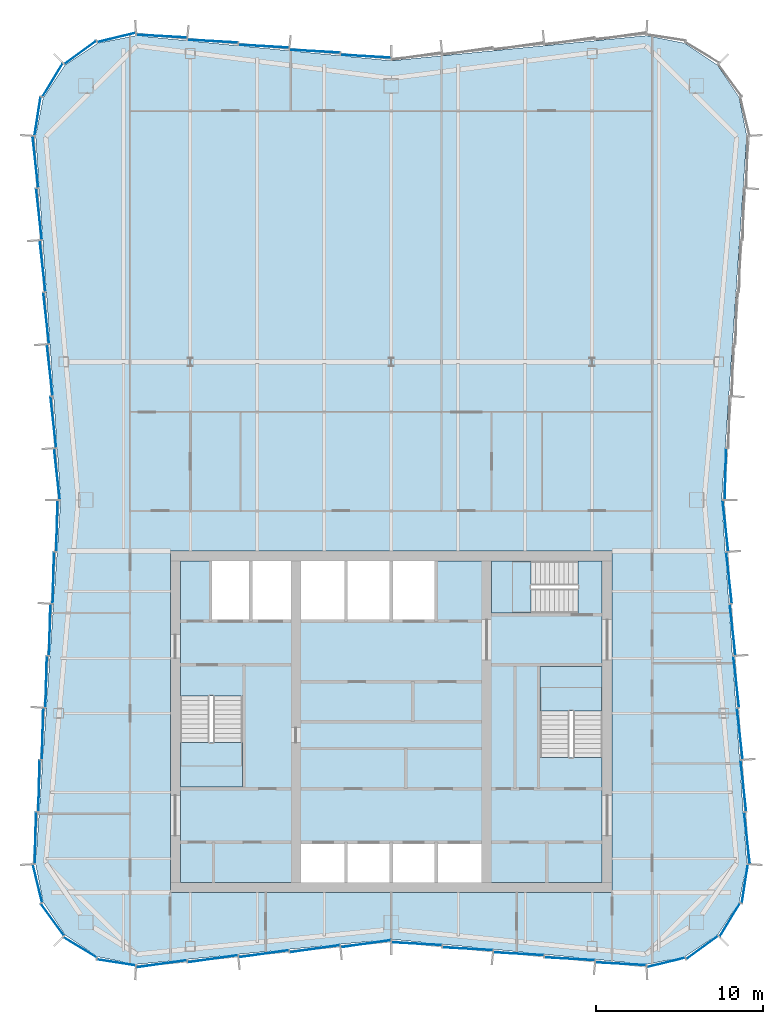
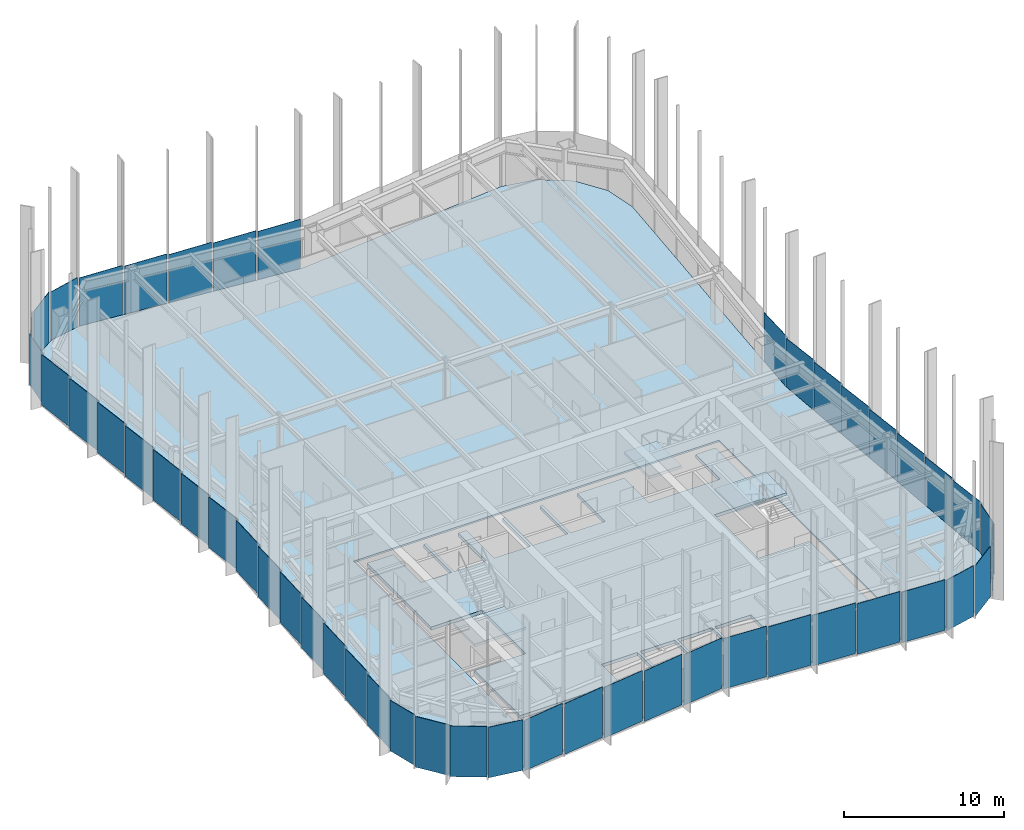
# One storey, part 8 of 13: 49 plates, 5 slabs, 10 elements without a shape of their own.
"""IFC4 building model written with IfcOpenShell, lengths in metres."""

from ifc_helpers import new_model, si_unit, direction, frame, origin, origin_2d, place, context, subcontext, project, spatial, polyline, rectangle, outline, extrude, material, layer, layer_set, type_object, element, aggregate, save


model = new_model("IFC4")

# Units and contexts
model_context = context("Model", 3, precision=1e-05, world=origin(), true_north=direction((0.0, 1.0)))
body_context = subcontext(model_context, "Body", "Model", "MODEL_VIEW")
ifc_project = project(units=[si_unit("LENGTHUNIT", "METRE"), si_unit("AREAUNIT", "SQUARE_METRE"), si_unit("VOLUMEUNIT", "CUBIC_METRE"), si_unit("PLANEANGLEUNIT", "RADIAN"), si_unit("MASSUNIT", "GRAM", prefix="KILO")], contexts=[model_context])

# Site, building, storey
site_placement = place(None, origin())
site = spatial("IfcSite", under=ifc_project, at=site_placement, CompositionType="ELEMENT")
building_placement = place(site_placement, origin())
building = spatial("IfcBuilding", under=site, at=building_placement, Name="Verdant Reach Tower", CompositionType="ELEMENT")
storey_placement = place(building_placement, frame((0.0, 0.0, 294.0)))
storey = spatial("IfcBuildingStorey", under=building, at=storey_placement, Name="L67", CompositionType="ELEMENT", Elevation=294.0)

# Stair, slab
ifc_material_1 = material(Name="Concrete C40/50", Category="concrete")
stair_type = type_object("IfcStairType", Name="CO-STAIR", PredefinedType="HALF_TURN_STAIR", material=ifc_material_1)
stair_1_placement = place(storey_placement, origin())
stair_1 = element("IfcStair", 1, at=stair_1_placement, inside=storey, type_object=stair_type, Name="L67 Exit stair 1", PredefinedType="HALF_TURN_STAIR")
ifc_layer_1 = layer(ifc_material_1, 0.199951171875)
ifc_layer_set_1 = layer_set([ifc_layer_1], Name="CO-STAIR-LANDING")
slab_type_1 = type_object("IfcSlabType", Name="CO-STAIR-LANDING", PredefinedType="LANDING", material=ifc_layer_set_1)
slab_1_placement = place(storey_placement, frame((0.0, 0.0, 1.800048828125)))
slab_1 = element("IfcSlab", 2, at=slab_1_placement, type_object=slab_type_1, Name="ST-1 landing 1", PredefinedType="LANDING", context=body_context, shape_type="SweptSolid", body=[
    extrude(outline(polyline([(-12.60009765625, 26.75), (-12.60009765625, 24.10009765625), (-8.89990234375, 24.10009765625), (-8.89990234375, 26.75), (-12.60009765625, 26.75)])), origin(), (0.0, 0.0, 1.0), 0.199951171875),
])
aggregate(stair_1, [slab_1])

stair_2_placement = place(storey_placement, origin())
stair_2 = element("IfcStair", 3, at=stair_2_placement, inside=storey, type_object=stair_type, Name="L67 Exit stair 2", PredefinedType="HALF_TURN_STAIR")
slab_2_placement = place(storey_placement, frame((0.0, 0.0, 1.800048828125)))
slab_2 = element("IfcSlab", 4, at=slab_2_placement, type_object=slab_type_1, Name="ST-2 landing 1", PredefinedType="LANDING", context=body_context, shape_type="SweptSolid", body=[
    extrude(outline(polyline([(12.60009765625, 28.64990234375), (12.60009765625, 31.300048828125), (8.89990234375, 31.300048828125), (8.89990234375, 28.64990234375), (12.60009765625, 28.64990234375)])), origin(), (0.0, 0.0, 1.0), 0.199951171875),
])
aggregate(stair_2, [slab_2])

stair_3_placement = place(storey_placement, origin())
stair_3 = element("IfcStair", 5, at=stair_3_placement, inside=storey, type_object=stair_type, Name="L67 Exit stair 3", PredefinedType="HALF_TURN_STAIR")
slab_3_placement = place(storey_placement, frame((0.0, 0.0, 1.800048828125)))
slab_3 = element("IfcSlab", 6, at=slab_3_placement, type_object=slab_type_1, Name="ST-3 landing 1", PredefinedType="LANDING", context=body_context, shape_type="SweptSolid", body=[
    extrude(outline(polyline([(8.35009765625, 37.60009765625), (6.0, 37.60009765625), (6.0, 34.5), (8.35009765625, 34.5), (8.35009765625, 37.60009765625)])), origin(), (0.0, 0.0, 1.0), 0.199951171875),
])
aggregate(stair_3, [slab_3])

# Curtain wall, plates
ifc_material_2 = material(Name="Anodised aluminium", Category="aluminium")
curtain_wall_type = type_object("IfcCurtainWallType", Name="EN-CW SYSTEM Z5", PredefinedType="NOTDEFINED", material=ifc_material_2)
curtain_wall_1_placement = place(storey_placement, origin())
curtain_wall_1 = element("IfcCurtainWall", 7, at=curtain_wall_1_placement, inside=storey, type_object=curtain_wall_type, Name="Curtain wall south-east corner, L67", PredefinedType="NOTDEFINED")
ifc_material_3 = material(Name="Tinted glass with champagne spandrel", Category="glass")
ifc_layer_2 = layer(ifc_material_3, 0.031982421875)
ifc_layer_set_2 = layer_set([ifc_layer_2], Name="EN-PANEL CHAMPAGNE")
plate_type_1 = type_object("IfcPlateType", Name="EN-PANEL CHAMPAGNE", PredefinedType="CURTAIN_PANEL", material=ifc_layer_set_2)
plate_1_placement = place(storey_placement, frame((18.58203125, 14.51318359375, -0.219970703125), z_axis=(0.0, 0.0, 1.0), x_axis=(0.807456783236, 0.58992672698, 0.0)))
plate_1 = element("IfcPlate", 8, at=plate_1_placement, type_object=plate_type_1, Name="Glass panel south-east corner 2.1, L67", PredefinedType="CURTAIN_PANEL", context=body_context, shape_type="SweptSolid", body=[
    extrude(rectangle(XDim=2.320068359375, YDim=0.031982421875, at=origin_2d()), origin(), (0.0, 0.0, 1.0), 3.8701171875),
])
plate_2_placement = place(storey_placement, frame((20.23681640625, 16.16796875, -0.219970703125), z_axis=(0.0, 0.0, 1.0), x_axis=(0.520291528711, 0.853988714885, 0.0)))
plate_2 = element("IfcPlate", 9, at=plate_2_placement, type_object=plate_type_1, Name="Glass panel south-east corner 3.1, L67", PredefinedType="CURTAIN_PANEL", context=body_context, shape_type="SweptSolid", body=[
    extrude(rectangle(XDim=2.320068359375, YDim=0.031982421875, at=origin_2d()), origin(), (0.0, 0.0, 1.0), 3.8701171875),
])
plate_3_placement = place(storey_placement, frame((21.132080078125, 18.326171875, -0.219970703125), z_axis=(0.0, 0.0, 1.0), x_axis=(0.154337499461, 0.988018186199, 0.0)))
plate_3 = element("IfcPlate", 10, at=plate_3_placement, type_object=plate_type_1, Name="Glass panel south-east corner 4.1, L67", PredefinedType="CURTAIN_PANEL", context=body_context, shape_type="SweptSolid", body=[
    extrude(rectangle(XDim=2.312744140625, YDim=0.031982421875, at=origin_2d()), origin(), (0.0, 0.0, 1.0), 3.8701171875),
])

curtain_wall_2_placement = place(storey_placement, origin())
curtain_wall_2 = element("IfcCurtainWall", 11, at=curtain_wall_2_placement, inside=storey, type_object=curtain_wall_type, Name="Curtain wall east, L67", PredefinedType="NOTDEFINED")
plate_4_placement = place(storey_placement, frame((21.257568359375, 21.053955078125, -0.219970703125), z_axis=(0.0, 0.0, 1.0), x_axis=(-0.110197580247, 0.993909700782, 0.0)))
plate_4 = element("IfcPlate", 12, at=plate_4_placement, type_object=plate_type_1, Name="Glass panel east face part 1 1.1, L67", PredefinedType="CURTAIN_PANEL", context=body_context, shape_type="SweptSolid", body=[
    extrude(rectangle(XDim=3.063720703125, YDim=0.031982421875, at=origin_2d()), origin(), (0.0, 0.0, 1.0), 3.8701171875),
])
plate_5_placement = place(storey_placement, frame((21.043212890625, 24.168701171875, -0.219970703125), z_axis=(0.0, 0.0, 1.0), x_axis=(-0.110518162674, 0.993874104562, 0.0)))
plate_5 = element("IfcPlate", 13, at=plate_5_placement, type_object=plate_type_1, Name="Glass panel east face part 1 2.1, L67", PredefinedType="CURTAIN_PANEL", context=body_context, shape_type="SweptSolid", body=[
    extrude(rectangle(XDim=3.048583984375, YDim=0.031982421875, at=origin_2d()), origin(), (0.0, 0.0, 1.0), 3.8701171875),
])

curtain_wall_3_placement = place(storey_placement, origin())
curtain_wall_3 = element("IfcCurtainWall", 14, at=curtain_wall_3_placement, inside=storey, type_object=curtain_wall_type, Name="Curtain wall north, L67", PredefinedType="NOTDEFINED")
plate_6_placement = place(storey_placement, frame((-1.519287109375, 67.7646484375, -0.219970703125), z_axis=(0.0, 0.0, 1.0), x_axis=(-0.998413420442, 0.05630845301, 0.0)))
plate_6 = element("IfcPlate", 15, at=plate_6_placement, type_object=plate_type_1, Name="Glass panel north face part 2 1.1, L67", PredefinedType="CURTAIN_PANEL", context=body_context, shape_type="SweptSolid", body=[
    extrude(rectangle(XDim=2.987548828125, YDim=0.031982421875, at=origin_2d()), origin(), (0.0, 0.0, 1.0), 3.8701171875),
])
plate_7_placement = place(storey_placement, frame((-4.563720703125, 68.064453125, -0.219970703125), z_axis=(0.0, 0.0, 1.0), x_axis=(-0.998423588956, 0.056127863106, 0.0)))
plate_7 = element("IfcPlate", 16, at=plate_7_placement, type_object=plate_type_1, Name="Glass panel north face part 2 2.1, L67", PredefinedType="CURTAIN_PANEL", context=body_context, shape_type="SweptSolid", body=[
    extrude(rectangle(XDim=2.998779296875, YDim=0.031982421875, at=origin_2d()), origin(), (0.0, 0.0, 1.0), 3.8701171875),
])

curtain_wall_4_placement = place(storey_placement, origin())
curtain_wall_4 = element("IfcCurtainWall", 17, at=curtain_wall_4_placement, inside=storey, type_object=curtain_wall_type, Name="Curtain wall west, L67", PredefinedType="NOTDEFINED")
plate_8_placement = place(storey_placement, frame((-20.61474609375, 52.1171875, -0.219970703125), z_axis=(0.0, 0.0, 1.0), x_axis=(0.110518162674, -0.993874104562, 0.0)))
plate_8 = element("IfcPlate", 18, at=plate_8_placement, type_object=plate_type_1, Name="Glass panel west face part 1 4.1, L67", PredefinedType="CURTAIN_PANEL", context=body_context, shape_type="SweptSolid", body=[
    extrude(rectangle(XDim=3.048583984375, YDim=0.031982421875, at=origin_2d()), origin(), (0.0, 0.0, 1.0), 3.8701171875),
])
plate_9_placement = place(storey_placement, frame((-20.400390625, 49.010009765625, -0.219970703125), z_axis=(0.0, 0.0, 1.0), x_axis=(0.110518162674, -0.993874104562, 0.0)))
plate_9 = element("IfcPlate", 19, at=plate_9_placement, type_object=plate_type_1, Name="Glass panel west face part 1 5.1, L67", PredefinedType="CURTAIN_PANEL", context=body_context, shape_type="SweptSolid", body=[
    extrude(rectangle(XDim=3.048583984375, YDim=0.031982421875, at=origin_2d()), origin(), (0.0, 0.0, 1.0), 3.8701171875),
])
plate_10_placement = place(storey_placement, frame((-20.18603515625, 45.90283203125, -0.219970703125), z_axis=(0.0, 0.0, 1.0), x_axis=(0.110518162674, -0.993874104562, 0.0)))
plate_10 = element("IfcPlate", 20, at=plate_10_placement, type_object=plate_type_1, Name="Glass panel west face part 1 6.1, L67", PredefinedType="CURTAIN_PANEL", context=body_context, shape_type="SweptSolid", body=[
    extrude(rectangle(XDim=3.048583984375, YDim=0.031982421875, at=origin_2d()), origin(), (0.0, 0.0, 1.0), 3.8701171875),
])
plate_11_placement = place(storey_placement, frame((-21.043212890625, 24.168701171875, -0.219970703125), z_axis=(0.0, 0.0, 1.0), x_axis=(-0.026965318308, -0.999636369691, 0.0)))
plate_11 = element("IfcPlate", 21, at=plate_11_placement, type_object=plate_type_1, Name="Glass panel west face part 2 6.1, L67", PredefinedType="CURTAIN_PANEL", context=body_context, shape_type="SweptSolid", body=[
    extrude(rectangle(XDim=3.048583984375, YDim=0.031982421875, at=origin_2d()), origin(), (0.0, 0.0, 1.0), 3.8701171875),
])
plate_12_placement = place(storey_placement, frame((-21.257568359375, 21.053955078125, -0.219970703125), z_axis=(0.0, 0.0, 1.0), x_axis=(-0.026642881595, -0.999645015423, 0.0)))
plate_12 = element("IfcPlate", 22, at=plate_12_placement, type_object=plate_type_1, Name="Glass panel west face part 2 7.1, L67", PredefinedType="CURTAIN_PANEL", context=body_context, shape_type="SweptSolid", body=[
    extrude(rectangle(XDim=3.063720703125, YDim=0.031982421875, at=origin_2d()), origin(), (0.0, 0.0, 1.0), 3.8701171875),
])

# Curtain wall, plate
curtain_wall_5_placement = place(storey_placement, origin())
curtain_wall_5 = element("IfcCurtainWall", 23, at=curtain_wall_5_placement, inside=storey, type_object=curtain_wall_type, Name="Curtain wall south-west corner, L67", PredefinedType="NOTDEFINED")
plate_13_placement = place(storey_placement, frame((-16.4228515625, 13.61767578125, -0.219970703125), z_axis=(0.0, 0.0, 1.0), x_axis=(0.988033409454, -0.154240013621, 0.0)))
plate_13 = element("IfcPlate", 24, at=plate_13_placement, type_object=plate_type_1, Name="Glass panel south-west corner 4.1, L67", PredefinedType="CURTAIN_PANEL", context=body_context, shape_type="SweptSolid", body=[
    extrude(rectangle(XDim=2.314453125, YDim=0.031982421875, at=origin_2d()), origin(), (0.0, 0.0, 1.0), 3.8701171875),
])

# Curtain wall, plates
curtain_wall_6_placement = place(storey_placement, origin())
curtain_wall_6 = element("IfcCurtainWall", 25, at=curtain_wall_6_placement, inside=storey, type_object=curtain_wall_type, Name="Curtain wall south, L67", PredefinedType="NOTDEFINED")
plate_14_placement = place(storey_placement, frame((-10.663818359375, 13.83544921875, -0.219970703125), z_axis=(0.0, 0.0, 1.0), x_axis=(0.990225318365, 0.139476947446, 0.0)))
plate_14 = element("IfcPlate", 26, at=plate_14_placement, type_object=plate_type_1, Name="Glass panel south face part 1 2.1, L67", PredefinedType="CURTAIN_PANEL", context=body_context, shape_type="SweptSolid", body=[
    extrude(rectangle(XDim=2.998779296875, YDim=0.031982421875, at=origin_2d()), origin(), (0.0, 0.0, 1.0), 3.8701171875),
])
plate_15_placement = place(storey_placement, frame((-7.61376953125, 14.135498046875, -0.219970703125), z_axis=(0.0, 0.0, 1.0), x_axis=(0.990225318365, 0.139476947446, 0.0)))
plate_15 = element("IfcPlate", 27, at=plate_15_placement, type_object=plate_type_1, Name="Glass panel south face part 1 3.1, L67", PredefinedType="CURTAIN_PANEL", context=body_context, shape_type="SweptSolid", body=[
    extrude(rectangle(XDim=2.998779296875, YDim=0.031982421875, at=origin_2d()), origin(), (0.0, 0.0, 1.0), 3.8701171875),
])
plate_16_placement = place(storey_placement, frame((-4.563720703125, 14.435546875, -0.219970703125), z_axis=(0.0, 0.0, 1.0), x_axis=(0.990225318365, 0.139476947446, 0.0)))
plate_16 = element("IfcPlate", 28, at=plate_16_placement, type_object=plate_type_1, Name="Glass panel south face part 1 4.1, L67", PredefinedType="CURTAIN_PANEL", context=body_context, shape_type="SweptSolid", body=[
    extrude(rectangle(XDim=2.998779296875, YDim=0.031982421875, at=origin_2d()), origin(), (0.0, 0.0, 1.0), 3.8701171875),
])
plate_17_placement = place(storey_placement, frame((10.663818359375, 13.83544921875, -0.219970703125), z_axis=(0.0, 0.0, 1.0), x_axis=(0.998423588956, -0.056127863106, 0.0)))
plate_17 = element("IfcPlate", 29, at=plate_17_placement, type_object=plate_type_1, Name="Glass panel south face part 2 4.1, L67", PredefinedType="CURTAIN_PANEL", context=body_context, shape_type="SweptSolid", body=[
    extrude(rectangle(XDim=2.998779296875, YDim=0.031982421875, at=origin_2d()), origin(), (0.0, 0.0, 1.0), 3.8701171875),
])
plate_18_placement = place(storey_placement, frame((13.72216796875, 13.535400390625, -0.219970703125), z_axis=(0.0, 0.0, 1.0), x_axis=(0.998446157248, -0.055724959185, 0.0)))
plate_18 = element("IfcPlate", 30, at=plate_18_placement, type_object=plate_type_1, Name="Glass panel south face part 2 5.1, L67", PredefinedType="CURTAIN_PANEL", context=body_context, shape_type="SweptSolid", body=[
    extrude(rectangle(XDim=3.015625, YDim=0.031982421875, at=origin_2d()), origin(), (0.0, 0.0, 1.0), 3.8701171875),
])

# Plate
ifc_material_4 = material(Name="Tinted glass with copper spandrel", Category="glass")
ifc_layer_3 = layer(ifc_material_4, 0.031982421875)
ifc_layer_set_3 = layer_set([ifc_layer_3], Name="EN-PANEL COPPER")
plate_type_2 = type_object("IfcPlateType", Name="EN-PANEL COPPER", PredefinedType="CURTAIN_PANEL", material=ifc_layer_set_3)
plate_19_placement = place(storey_placement, frame((20.8291015625, 27.27587890625, -0.219970703125), z_axis=(0.0, 0.0, 1.0), x_axis=(-0.110518162674, 0.993874104562, 0.0)))
plate_19 = element("IfcPlate", 31, at=plate_19_placement, type_object=plate_type_2, Name="Glass panel east face part 1 3.1, L67", PredefinedType="CURTAIN_PANEL", context=body_context, shape_type="SweptSolid", body=[
    extrude(rectangle(XDim=3.048583984375, YDim=0.031982421875, at=origin_2d()), origin(), (0.0, 0.0, 1.0), 3.8701171875),
])

plate_20_placement = place(storey_placement, frame((20.61474609375, 30.3828125, -0.219970703125), z_axis=(0.0, 0.0, 1.0), x_axis=(-0.110518162674, 0.993874104562, 0.0)))
plate_20 = element("IfcPlate", 32, at=plate_20_placement, type_object=plate_type_2, Name="Glass panel east face part 1 4.1, L67", PredefinedType="CURTAIN_PANEL", context=body_context, shape_type="SweptSolid", body=[
    extrude(rectangle(XDim=3.048583984375, YDim=0.031982421875, at=origin_2d()), origin(), (0.0, 0.0, 1.0), 3.8701171875),
])

plate_21_placement = place(storey_placement, frame((-7.61376953125, 68.364501953125, -0.219970703125), z_axis=(0.0, 0.0, 1.0), x_axis=(-0.998423588956, 0.056127863106, 0.0)))
plate_21 = element("IfcPlate", 33, at=plate_21_placement, type_object=plate_type_2, Name="Glass panel north face part 2 3.1, L67", PredefinedType="CURTAIN_PANEL", context=body_context, shape_type="SweptSolid", body=[
    extrude(rectangle(XDim=2.998779296875, YDim=0.031982421875, at=origin_2d()), origin(), (0.0, 0.0, 1.0), 3.8701171875),
])

plate_22_placement = place(storey_placement, frame((-10.663818359375, 68.66455078125, -0.219970703125), z_axis=(0.0, 0.0, 1.0), x_axis=(-0.998423588956, 0.056127863106, 0.0)))
plate_22 = element("IfcPlate", 34, at=plate_22_placement, type_object=plate_type_2, Name="Glass panel north face part 2 4.1, L67", PredefinedType="CURTAIN_PANEL", context=body_context, shape_type="SweptSolid", body=[
    extrude(rectangle(XDim=2.998779296875, YDim=0.031982421875, at=origin_2d()), origin(), (0.0, 0.0, 1.0), 3.8701171875),
])

# Curtain wall, plates
curtain_wall_7_placement = place(storey_placement, origin())
curtain_wall_7 = element("IfcCurtainWall", 35, at=curtain_wall_7_placement, inside=storey, type_object=curtain_wall_type, Name="Curtain wall north-west corner, L67", PredefinedType="NOTDEFINED")
plate_23_placement = place(storey_placement, frame((-16.4228515625, 68.88232421875, -0.219970703125), z_axis=(0.0, 0.0, 1.0), x_axis=(-0.971661765526, -0.236375577028, 0.0)))
plate_23 = element("IfcPlate", 36, at=plate_23_placement, type_object=plate_type_2, Name="Glass panel north-west corner 1.1, L67", PredefinedType="CURTAIN_PANEL", context=body_context, shape_type="SweptSolid", body=[
    extrude(rectangle(XDim=2.314453125, YDim=0.031982421875, at=origin_2d()), origin(), (0.0, 0.0, 1.0), 3.8701171875),
])
plate_24_placement = place(storey_placement, frame((-18.58203125, 67.98681640625, -0.219970703125), z_axis=(0.0, 0.0, 1.0), x_axis=(-0.807456783236, -0.58992672698, 0.0)))
plate_24 = element("IfcPlate", 37, at=plate_24_placement, type_object=plate_type_2, Name="Glass panel north-west corner 2.1, L67", PredefinedType="CURTAIN_PANEL", context=body_context, shape_type="SweptSolid", body=[
    extrude(rectangle(XDim=2.320068359375, YDim=0.031982421875, at=origin_2d()), origin(), (0.0, 0.0, 1.0), 3.8701171875),
])
plate_25_placement = place(storey_placement, frame((-20.23681640625, 66.33203125, -0.219970703125), z_axis=(0.0, 0.0, 1.0), x_axis=(-0.520291528711, -0.853988714885, 0.0)))
plate_25 = element("IfcPlate", 38, at=plate_25_placement, type_object=plate_type_2, Name="Glass panel north-west corner 3.1, L67", PredefinedType="CURTAIN_PANEL", context=body_context, shape_type="SweptSolid", body=[
    extrude(rectangle(XDim=2.320068359375, YDim=0.031982421875, at=origin_2d()), origin(), (0.0, 0.0, 1.0), 3.8701171875),
])

# Plate
plate_26_placement = place(storey_placement, frame((-21.257568359375, 61.446044921875, -0.219970703125), z_axis=(0.0, 0.0, 1.0), x_axis=(0.110197580247, -0.993909700782, 0.0)))
plate_26 = element("IfcPlate", 39, at=plate_26_placement, type_object=plate_type_2, Name="Glass panel west face part 1 1.1, L67", PredefinedType="CURTAIN_PANEL", context=body_context, shape_type="SweptSolid", body=[
    extrude(rectangle(XDim=3.063720703125, YDim=0.031982421875, at=origin_2d()), origin(), (0.0, 0.0, 1.0), 3.8701171875),
])

plate_27_placement = place(storey_placement, frame((-19.971923828125, 42.799560546875, -0.219970703125), z_axis=(0.0, 0.0, 1.0), x_axis=(0.110605344993, -0.993864406073, 0.0)))
plate_27 = element("IfcPlate", 40, at=plate_27_placement, type_object=plate_type_2, Name="Glass panel west face part 1 7.1, L67", PredefinedType="CURTAIN_PANEL", context=body_context, shape_type="SweptSolid", body=[
    extrude(rectangle(XDim=3.04052734375, YDim=0.031982421875, at=origin_2d()), origin(), (0.0, 0.0, 1.0), 3.8701171875),
])

plate_28_placement = place(storey_placement, frame((-19.971923828125, 39.700439453125, -0.219970703125), z_axis=(0.0, 0.0, 1.0), x_axis=(-0.027053006415, -0.999634000444, 0.0)))
plate_28 = element("IfcPlate", 41, at=plate_28_placement, type_object=plate_type_2, Name="Glass panel west face part 2 1.1, L67", PredefinedType="CURTAIN_PANEL", context=body_context, shape_type="SweptSolid", body=[
    extrude(rectangle(XDim=3.04052734375, YDim=0.031982421875, at=origin_2d()), origin(), (0.0, 0.0, 1.0), 3.8701171875),
])

plate_29_placement = place(storey_placement, frame((-20.18603515625, 36.59716796875, -0.219970703125), z_axis=(0.0, 0.0, 1.0), x_axis=(-0.026965318308, -0.999636369691, 0.0)))
plate_29 = element("IfcPlate", 42, at=plate_29_placement, type_object=plate_type_2, Name="Glass panel west face part 2 2.1, L67", PredefinedType="CURTAIN_PANEL", context=body_context, shape_type="SweptSolid", body=[
    extrude(rectangle(XDim=3.048583984375, YDim=0.031982421875, at=origin_2d()), origin(), (0.0, 0.0, 1.0), 3.8701171875),
])

plate_30_placement = place(storey_placement, frame((-21.132080078125, 18.326171875, -0.219970703125), z_axis=(0.0, 0.0, 1.0), x_axis=(0.236471447122, -0.971638438256, 0.0)))
plate_30 = element("IfcPlate", 43, at=plate_30_placement, type_object=plate_type_2, Name="Glass panel south-west corner 1.1, L67", PredefinedType="CURTAIN_PANEL", context=body_context, shape_type="SweptSolid", body=[
    extrude(rectangle(XDim=2.312744140625, YDim=0.031982421875, at=origin_2d()), origin(), (0.0, 0.0, 1.0), 3.8701171875),
])

plate_31_placement = place(storey_placement, frame((-1.519287109375, 14.7353515625, -0.219970703125), z_axis=(0.0, 0.0, 1.0), x_axis=(0.990200074141, 0.139656053116, 0.0)))
plate_31 = element("IfcPlate", 44, at=plate_31_placement, type_object=plate_type_2, Name="Glass panel south face part 1 5.1, L67", PredefinedType="CURTAIN_PANEL", context=body_context, shape_type="SweptSolid", body=[
    extrude(rectangle(XDim=2.987548828125, YDim=0.031982421875, at=origin_2d()), origin(), (0.0, 0.0, 1.0), 3.8701171875),
])

ifc_material_5 = material(Name="Tinted glass with dark bronze spandrel", Category="glass")
ifc_layer_4 = layer(ifc_material_5, 0.031982421875)
ifc_layer_set_4 = layer_set([ifc_layer_4], Name="EN-PANEL DARK")
plate_type_3 = type_object("IfcPlateType", Name="EN-PANEL DARK", PredefinedType="CURTAIN_PANEL", material=ifc_layer_set_4)
plate_32_placement = place(storey_placement, frame((16.4228515625, 13.61767578125, -0.219970703125), z_axis=(0.0, 0.0, 1.0), x_axis=(0.971661765526, 0.236375577028, 0.0)))
plate_32 = element("IfcPlate", 45, at=plate_32_placement, type_object=plate_type_3, Name="Glass panel south-east corner 1.1, L67", PredefinedType="CURTAIN_PANEL", context=body_context, shape_type="SweptSolid", body=[
    extrude(rectangle(XDim=2.314453125, YDim=0.031982421875, at=origin_2d()), origin(), (0.0, 0.0, 1.0), 3.8701171875),
])

aggregate(curtain_wall_1, [plate_32, plate_1, plate_2, plate_3])

plate_33_placement = place(storey_placement, frame((20.400390625, 33.489990234375, -0.219970703125), z_axis=(0.0, 0.0, 1.0), x_axis=(-0.110518162674, 0.993874104562, 0.0)))
plate_33 = element("IfcPlate", 46, at=plate_33_placement, type_object=plate_type_3, Name="Glass panel east face part 1 5.1, L67", PredefinedType="CURTAIN_PANEL", context=body_context, shape_type="SweptSolid", body=[
    extrude(rectangle(XDim=3.048583984375, YDim=0.031982421875, at=origin_2d()), origin(), (0.0, 0.0, 1.0), 3.8701171875),
])

plate_34_placement = place(storey_placement, frame((20.18603515625, 36.59716796875, -0.219970703125), z_axis=(0.0, 0.0, 1.0), x_axis=(-0.110518162674, 0.993874104562, 0.0)))
plate_34 = element("IfcPlate", 47, at=plate_34_placement, type_object=plate_type_3, Name="Glass panel east face part 1 6.1, L67", PredefinedType="CURTAIN_PANEL", context=body_context, shape_type="SweptSolid", body=[
    extrude(rectangle(XDim=3.048583984375, YDim=0.031982421875, at=origin_2d()), origin(), (0.0, 0.0, 1.0), 3.8701171875),
])

plate_35_placement = place(storey_placement, frame((19.971923828125, 39.700439453125, -0.219970703125), z_axis=(0.0, 0.0, 1.0), x_axis=(-0.110605344993, 0.993864406073, 0.0)))
plate_35 = element("IfcPlate", 48, at=plate_35_placement, type_object=plate_type_3, Name="Glass panel east face part 1 7.1, L67", PredefinedType="CURTAIN_PANEL", context=body_context, shape_type="SweptSolid", body=[
    extrude(rectangle(XDim=3.04052734375, YDim=0.031982421875, at=origin_2d()), origin(), (0.0, 0.0, 1.0), 3.8701171875),
])

plate_36_placement = place(storey_placement, frame((19.971923828125, 42.799560546875, -0.219970703125), z_axis=(0.0, 0.0, 1.0), x_axis=(0.027053006415, 0.999634000444, 0.0)))
plate_36 = element("IfcPlate", 49, at=plate_36_placement, type_object=plate_type_3, Name="Glass panel east face part 2 1.1, L67", PredefinedType="CURTAIN_PANEL", context=body_context, shape_type="SweptSolid", body=[
    extrude(rectangle(XDim=3.04052734375, YDim=0.031982421875, at=origin_2d()), origin(), (0.0, 0.0, 1.0), 3.8701171875),
])

aggregate(curtain_wall_2, [plate_4, plate_5, plate_19, plate_20, plate_33, plate_34, plate_35, plate_36])

plate_37_placement = place(storey_placement, frame((-13.72216796875, 68.964599609375, -0.219970703125), z_axis=(0.0, 0.0, 1.0), x_axis=(-0.998446157248, 0.055724959185, 0.0)))
plate_37 = element("IfcPlate", 50, at=plate_37_placement, type_object=plate_type_3, Name="Glass panel north face part 2 5.1, L67", PredefinedType="CURTAIN_PANEL", context=body_context, shape_type="SweptSolid", body=[
    extrude(rectangle(XDim=3.015625, YDim=0.031982421875, at=origin_2d()), origin(), (0.0, 0.0, 1.0), 3.8701171875),
])

aggregate(curtain_wall_3, [plate_6, plate_7, plate_21, plate_22, plate_37])

plate_38_placement = place(storey_placement, frame((-21.132080078125, 64.173828125, -0.219970703125), z_axis=(0.0, 0.0, 1.0), x_axis=(-0.154337499461, -0.988018186199, 0.0)))
plate_38 = element("IfcPlate", 51, at=plate_38_placement, type_object=plate_type_3, Name="Glass panel north-west corner 4.1, L67", PredefinedType="CURTAIN_PANEL", context=body_context, shape_type="SweptSolid", body=[
    extrude(rectangle(XDim=2.312744140625, YDim=0.031982421875, at=origin_2d()), origin(), (0.0, 0.0, 1.0), 3.8701171875),
])

aggregate(curtain_wall_7, [plate_23, plate_24, plate_25, plate_38])

plate_39_placement = place(storey_placement, frame((-21.043212890625, 58.331298828125, -0.219970703125), z_axis=(0.0, 0.0, 1.0), x_axis=(0.110518162674, -0.993874104562, 0.0)))
plate_39 = element("IfcPlate", 52, at=plate_39_placement, type_object=plate_type_3, Name="Glass panel west face part 1 2.1, L67", PredefinedType="CURTAIN_PANEL", context=body_context, shape_type="SweptSolid", body=[
    extrude(rectangle(XDim=3.048583984375, YDim=0.031982421875, at=origin_2d()), origin(), (0.0, 0.0, 1.0), 3.8701171875),
])

plate_40_placement = place(storey_placement, frame((-20.8291015625, 55.22412109375, -0.219970703125), z_axis=(0.0, 0.0, 1.0), x_axis=(0.110518162674, -0.993874104562, 0.0)))
plate_40 = element("IfcPlate", 53, at=plate_40_placement, type_object=plate_type_3, Name="Glass panel west face part 1 3.1, L67", PredefinedType="CURTAIN_PANEL", context=body_context, shape_type="SweptSolid", body=[
    extrude(rectangle(XDim=3.048583984375, YDim=0.031982421875, at=origin_2d()), origin(), (0.0, 0.0, 1.0), 3.8701171875),
])

plate_41_placement = place(storey_placement, frame((-20.400390625, 33.489990234375, -0.219970703125), z_axis=(0.0, 0.0, 1.0), x_axis=(-0.026965318308, -0.999636369691, 0.0)))
plate_41 = element("IfcPlate", 54, at=plate_41_placement, type_object=plate_type_3, Name="Glass panel west face part 2 3.1, L67", PredefinedType="CURTAIN_PANEL", context=body_context, shape_type="SweptSolid", body=[
    extrude(rectangle(XDim=3.048583984375, YDim=0.031982421875, at=origin_2d()), origin(), (0.0, 0.0, 1.0), 3.8701171875),
])

plate_42_placement = place(storey_placement, frame((-20.61474609375, 30.3828125, -0.219970703125), z_axis=(0.0, 0.0, 1.0), x_axis=(-0.026965318308, -0.999636369691, 0.0)))
plate_42 = element("IfcPlate", 55, at=plate_42_placement, type_object=plate_type_3, Name="Glass panel west face part 2 4.1, L67", PredefinedType="CURTAIN_PANEL", context=body_context, shape_type="SweptSolid", body=[
    extrude(rectangle(XDim=3.048583984375, YDim=0.031982421875, at=origin_2d()), origin(), (0.0, 0.0, 1.0), 3.8701171875),
])

plate_43_placement = place(storey_placement, frame((-20.8291015625, 27.27587890625, -0.219970703125), z_axis=(0.0, 0.0, 1.0), x_axis=(-0.026965318308, -0.999636369691, 0.0)))
plate_43 = element("IfcPlate", 56, at=plate_43_placement, type_object=plate_type_3, Name="Glass panel west face part 2 5.1, L67", PredefinedType="CURTAIN_PANEL", context=body_context, shape_type="SweptSolid", body=[
    extrude(rectangle(XDim=3.048583984375, YDim=0.031982421875, at=origin_2d()), origin(), (0.0, 0.0, 1.0), 3.8701171875),
])

aggregate(curtain_wall_4, [plate_26, plate_39, plate_40, plate_8, plate_9, plate_10, plate_27, plate_28, plate_29, plate_41, plate_42, plate_43, plate_11, plate_12])

plate_44_placement = place(storey_placement, frame((-20.23681640625, 16.16796875, -0.219970703125), z_axis=(0.0, 0.0, 1.0), x_axis=(0.58992672698, -0.807456783236, 0.0)))
plate_44 = element("IfcPlate", 57, at=plate_44_placement, type_object=plate_type_3, Name="Glass panel south-west corner 2.1, L67", PredefinedType="CURTAIN_PANEL", context=body_context, shape_type="SweptSolid", body=[
    extrude(rectangle(XDim=2.320068359375, YDim=0.031982421875, at=origin_2d()), origin(), (0.0, 0.0, 1.0), 3.8701171875),
])

plate_45_placement = place(storey_placement, frame((-18.58203125, 14.51318359375, -0.219970703125), z_axis=(0.0, 0.0, 1.0), x_axis=(0.853988714885, -0.520291528711, 0.0)))
plate_45 = element("IfcPlate", 58, at=plate_45_placement, type_object=plate_type_3, Name="Glass panel south-west corner 3.1, L67", PredefinedType="CURTAIN_PANEL", context=body_context, shape_type="SweptSolid", body=[
    extrude(rectangle(XDim=2.320068359375, YDim=0.031982421875, at=origin_2d()), origin(), (0.0, 0.0, 1.0), 3.8701171875),
])

aggregate(curtain_wall_5, [plate_30, plate_44, plate_45, plate_13])

plate_46_placement = place(storey_placement, frame((-13.72216796875, 13.535400390625, -0.219970703125), z_axis=(0.0, 0.0, 1.0), x_axis=(0.990281521639, 0.139077345032, 0.0)))
plate_46 = element("IfcPlate", 59, at=plate_46_placement, type_object=plate_type_3, Name="Glass panel south face part 1 1.1, L67", PredefinedType="CURTAIN_PANEL", context=body_context, shape_type="SweptSolid", body=[
    extrude(rectangle(XDim=3.015625, YDim=0.031982421875, at=origin_2d()), origin(), (0.0, 0.0, 1.0), 3.8701171875),
])

plate_47_placement = place(storey_placement, frame((1.519287109375, 14.7353515625, -0.219970703125), z_axis=(0.0, 0.0, 1.0), x_axis=(0.998413420442, -0.05630845301, 0.0)))
plate_47 = element("IfcPlate", 60, at=plate_47_placement, type_object=plate_type_3, Name="Glass panel south face part 2 1.1, L67", PredefinedType="CURTAIN_PANEL", context=body_context, shape_type="SweptSolid", body=[
    extrude(rectangle(XDim=2.987548828125, YDim=0.031982421875, at=origin_2d()), origin(), (0.0, 0.0, 1.0), 3.8701171875),
])

plate_48_placement = place(storey_placement, frame((4.563720703125, 14.435546875, -0.219970703125), z_axis=(0.0, 0.0, 1.0), x_axis=(0.998423588956, -0.056127863106, 0.0)))
plate_48 = element("IfcPlate", 61, at=plate_48_placement, type_object=plate_type_3, Name="Glass panel south face part 2 2.1, L67", PredefinedType="CURTAIN_PANEL", context=body_context, shape_type="SweptSolid", body=[
    extrude(rectangle(XDim=2.998779296875, YDim=0.031982421875, at=origin_2d()), origin(), (0.0, 0.0, 1.0), 3.8701171875),
])

plate_49_placement = place(storey_placement, frame((7.61376953125, 14.135498046875, -0.219970703125), z_axis=(0.0, 0.0, 1.0), x_axis=(0.998423588956, -0.056127863106, 0.0)))
plate_49 = element("IfcPlate", 62, at=plate_49_placement, type_object=plate_type_3, Name="Glass panel south face part 2 3.1, L67", PredefinedType="CURTAIN_PANEL", context=body_context, shape_type="SweptSolid", body=[
    extrude(rectangle(XDim=2.998779296875, YDim=0.031982421875, at=origin_2d()), origin(), (0.0, 0.0, 1.0), 3.8701171875),
])

aggregate(curtain_wall_6, [plate_46, plate_14, plate_15, plate_16, plate_31, plate_47, plate_48, plate_49, plate_17, plate_18])

# Slabs
ifc_material_6 = material(Name="Concrete C35/45", Category="concrete")
ifc_layer_5 = layer(ifc_material_6, 0.1298828125)
ifc_layer_set_5 = layer_set([ifc_layer_5], Name="ST-SLAB-130")
slab_type_2 = type_object("IfcSlabType", Name="ST-SLAB-130", PredefinedType="FLOOR", material=ifc_layer_set_5)
slab_4_placement = place(storey_placement, frame((0.0, 0.0, -0.1298828125)))
element("IfcSlab", 63, at=slab_4_placement, inside=storey, type_object=slab_type_2, Name="Floor slab L67", PredefinedType="FLOOR", context=body_context, shape_type="SweptSolid", body=[
    extrude(outline(polyline([(0.0, 15.0), (-15.25, 13.5), (-17.546142578125, 13.956787109375), (-19.49267578125, 15.25732421875), (-20.793212890625, 17.203857421875), (-21.25, 19.5), (-19.75, 41.25), (-21.25, 63.0), (-20.793212890625, 65.296142578125), (-19.49267578125, 67.24267578125), (-17.546142578125, 68.543212890625), (-15.25, 69.0), (0.0, 67.5), (15.25, 69.0), (17.546142578125, 68.543212890625), (19.49267578125, 67.24267578125), (20.793212890625, 65.296142578125), (21.25, 63.0), (19.75, 41.25), (21.25, 19.5), (20.793212890625, 17.203857421875), (19.49267578125, 15.25732421875), (17.546142578125, 13.956787109375), (15.25, 13.5), (0.0, 15.0)]), holes=[polyline([(13.199951171875, 38.199951171875), (-13.199951171875, 38.199951171875), (-13.199951171875, 17.800048828125), (13.199951171875, 17.800048828125), (13.199951171875, 38.199951171875)])]), origin(), (0.0, 0.0, 1.0), 0.1298828125),
])
ifc_layer_6 = layer(ifc_material_6, 0.25)
ifc_layer_set_6 = layer_set([ifc_layer_6], Name="ST-SLAB-250")
slab_type_3 = type_object("IfcSlabType", Name="ST-SLAB-250", PredefinedType="FLOOR", material=ifc_layer_set_6)
slab_5_placement = place(storey_placement, frame((0.0, 0.0, -0.25)))
element("IfcSlab", 64, at=slab_5_placement, inside=storey, type_object=slab_type_3, Name="Core floor slab L67", PredefinedType="FLOOR", context=body_context, shape_type="SweptSolid", body=[
    extrude(outline(polyline([(12.60009765625, 18.39990234375), (5.39990234375, 18.39990234375), (5.39990234375, 20.699951171875), (2.800048828125, 20.699951171875), (2.800048828125, 18.39990234375), (2.60009765625, 18.39990234375), (2.60009765625, 20.699951171875), (0.10009765625, 20.699951171875), (0.10009765625, 18.39990234375), (-0.10009765625, 18.39990234375), (-0.10009765625, 20.699951171875), (-2.60009765625, 20.699951171875), (-2.60009765625, 18.39990234375), (-2.800048828125, 18.39990234375), (-2.800048828125, 20.699951171875), (-5.39990234375, 20.699951171875), (-5.39990234375, 18.39990234375), (-12.60009765625, 18.39990234375), (-12.60009765625, 24.10009765625), (-8.89990234375, 24.10009765625), (-8.89990234375, 29.548095703125), (-12.60009765625, 29.548095703125), (-12.60009765625, 37.60009765625), (-10.699951171875, 37.60009765625), (-10.699951171875, 34.10009765625), (-8.5, 34.10009765625), (-8.5, 37.60009765625), (-8.300048828125, 37.60009765625), (-8.300048828125, 34.10009765625), (-6.0, 34.10009765625), (-6.0, 37.60009765625), (-5.39990234375, 37.60009765625), (-5.39990234375, 34.10009765625), (-2.800048828125, 34.10009765625), (-2.800048828125, 37.60009765625), (-2.60009765625, 37.60009765625), (-2.60009765625, 34.10009765625), (-0.10009765625, 34.10009765625), (-0.10009765625, 37.60009765625), (0.10009765625, 37.60009765625), (0.10009765625, 34.10009765625), (2.60009765625, 34.10009765625), (2.60009765625, 37.60009765625), (6.0, 37.60009765625), (6.0, 34.5), (11.14794921875, 34.5), (11.14794921875, 37.60009765625), (12.60009765625, 37.60009765625), (12.60009765625, 31.300048828125), (8.89990234375, 31.300048828125), (8.89990234375, 25.85205078125), (12.60009765625, 25.85205078125), (12.60009765625, 18.39990234375)])), origin(), (0.0, 0.0, 1.0), 0.25),
])

save(model, "model.ifc")
